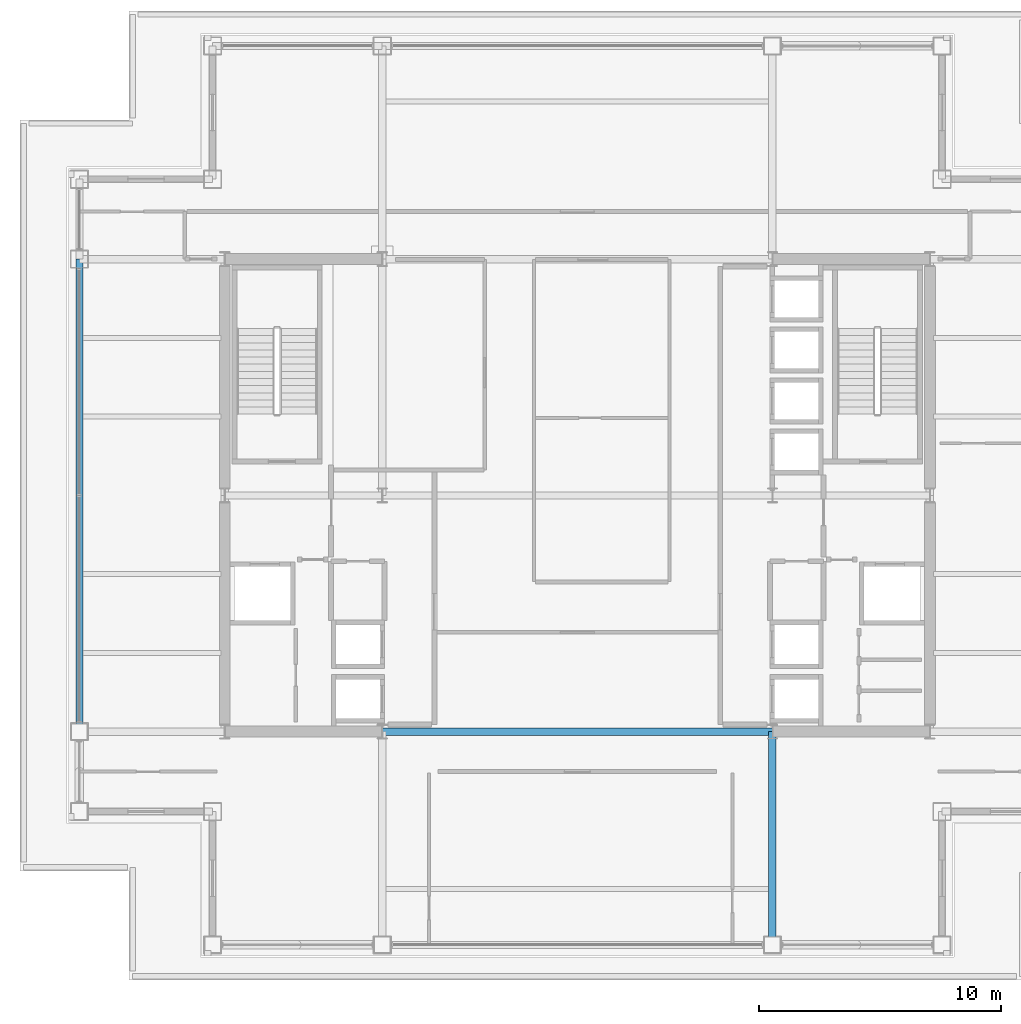
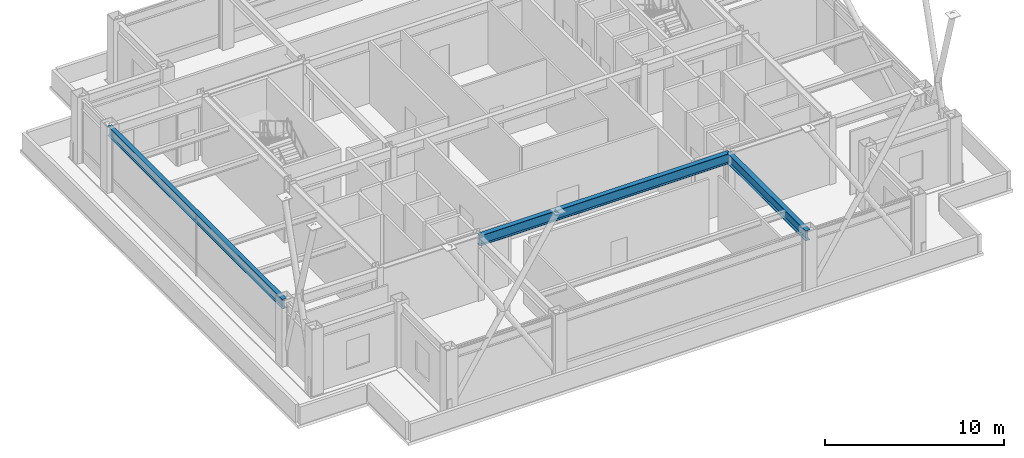
# One storey, part 6 of 24: 3 beams.
"""IFC4 building model written with IfcOpenShell, lengths in metres."""

from ifc_helpers import new_model, si_unit, direction, frame, origin, origin_2d, place, context, subcontext, project, spatial, i_section, extrude, material, material_profile, profile_set, type_object, element, save


model = new_model("IFC4")

# Units and contexts
model_context = context("Model", 3, precision=1e-05, world=origin(), true_north=direction((0.0, 1.0)))
body_context = subcontext(model_context, "Body", "Model", "MODEL_VIEW")
ifc_project = project(units=[si_unit("LENGTHUNIT", "METRE"), si_unit("AREAUNIT", "SQUARE_METRE"), si_unit("VOLUMEUNIT", "CUBIC_METRE"), si_unit("PLANEANGLEUNIT", "RADIAN"), si_unit("MASSUNIT", "GRAM", prefix="KILO")], contexts=[model_context])

# Site, building, storey
site_placement = place(None, origin())
site = spatial("IfcSite", under=ifc_project, at=site_placement, CompositionType="ELEMENT")
building_placement = place(site_placement, origin())
building = spatial("IfcBuilding", under=site, at=building_placement, Name="Brelmoor Portico Tower", CompositionType="ELEMENT")
storey_placement = place(building_placement, frame((0.0, 0.0, 150.60009765625)))
storey = spatial("IfcBuildingStorey", under=building, at=storey_placement, Name="L39", CompositionType="ELEMENT", Elevation=150.60009765625)

# Beams
ifc_material = material(Name="Steel Q355B", Category="steel")
ifc_material_profile_1 = material_profile(ifc_material, i_section(OverallWidth=0.300048828125, OverallDepth=0.699951171875, WebThickness=0.012939453125, FlangeThickness=0.02392578125, at=origin_2d()), Name="HN 700x300x13x24")
ifc_profile_set_1 = profile_set([ifc_material_profile_1], Name="Steel Q355B")
beam_type_1 = type_object("IfcBeamType", Name="BM-PG-700", PredefinedType="BEAM", material=ifc_profile_set_1)
beam_1_placement = place(storey_placement, frame((8.050048828125, -18.550048828125, 3.949951171875), z_axis=(0.0, 1.0, 0.0), x_axis=(-1.0, 0.0, 0.0)))
element("IfcBeam", 1, at=beam_1_placement, inside=storey, type_object=beam_type_1, Name="L39 Primary Floor Girder PG-06", PredefinedType="BEAM", context=body_context, shape_type="SweptSolid", body=[
    extrude(i_section(OverallWidth=0.300048828125, OverallDepth=0.699951171875, WebThickness=0.012939453125, FlangeThickness=0.02392578125, at=origin_2d()), origin(), (0.0, 0.0, 1.0), 8.800048828125),
])
beam_2_placement = place(storey_placement, frame((-8.050048828125, -9.75, 3.949951171875), z_axis=(1.0, 0.0, 0.0), x_axis=(0.0, 1.0, 0.0)))
element("IfcBeam", 2, at=beam_2_placement, inside=storey, type_object=beam_type_1, Name="L39 Primary Floor Girder PG-12", PredefinedType="BEAM", context=body_context, shape_type="SweptSolid", body=[
    extrude(i_section(OverallWidth=0.300048828125, OverallDepth=0.699951171875, WebThickness=0.012939453125, FlangeThickness=0.02392578125, at=origin_2d()), origin(), (0.0, 0.0, 1.0), 16.10009765625),
])
ifc_material_profile_2 = material_profile(ifc_material, i_section(OverallWidth=0.280029296875, OverallDepth=0.64990234375, WebThickness=0.012939453125, FlangeThickness=0.02197265625, at=origin_2d()), Name="HN 650x280x13x22")
ifc_profile_set_2 = profile_set([ifc_material_profile_2], Name="Steel Q355B")
beam_type_2 = type_object("IfcBeamType", Name="BM-SP-650", PredefinedType="SPANDREL", material=ifc_profile_set_2)
beam_3_placement = place(storey_placement, frame((-20.550048828125, -9.75, 3.974853515625), z_axis=(0.0, 1.0, 0.0), x_axis=(-1.0, 0.0, 0.0)))
element("IfcBeam", 3, at=beam_3_placement, inside=storey, type_object=beam_type_2, Name="L39 Perimeter Spandrel Beam SP-12", PredefinedType="SPANDREL", context=body_context, shape_type="SweptSolid", body=[
    extrude(i_section(OverallWidth=0.280029296875, OverallDepth=0.64990234375, WebThickness=0.012939453125, FlangeThickness=0.02197265625, at=origin_2d()), origin(), (0.0, 0.0, 1.0), 19.5),
])

save(model, "model.ifc")
